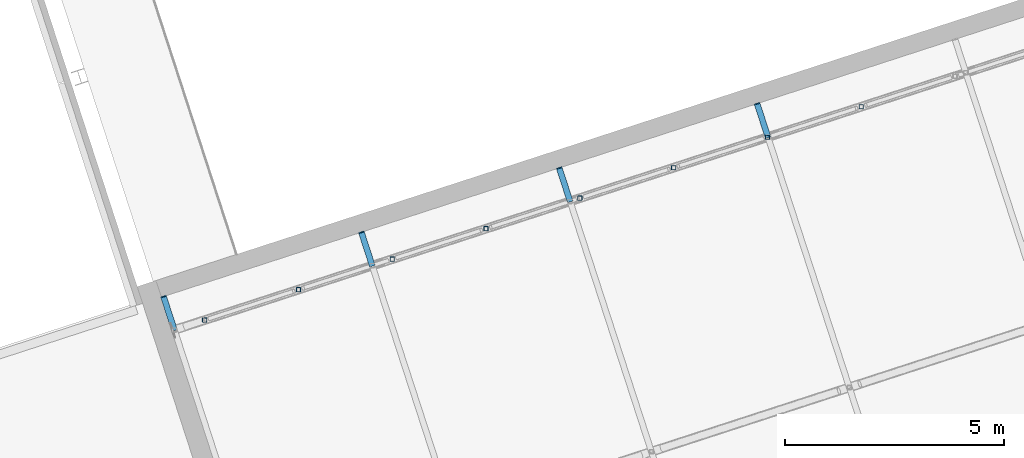
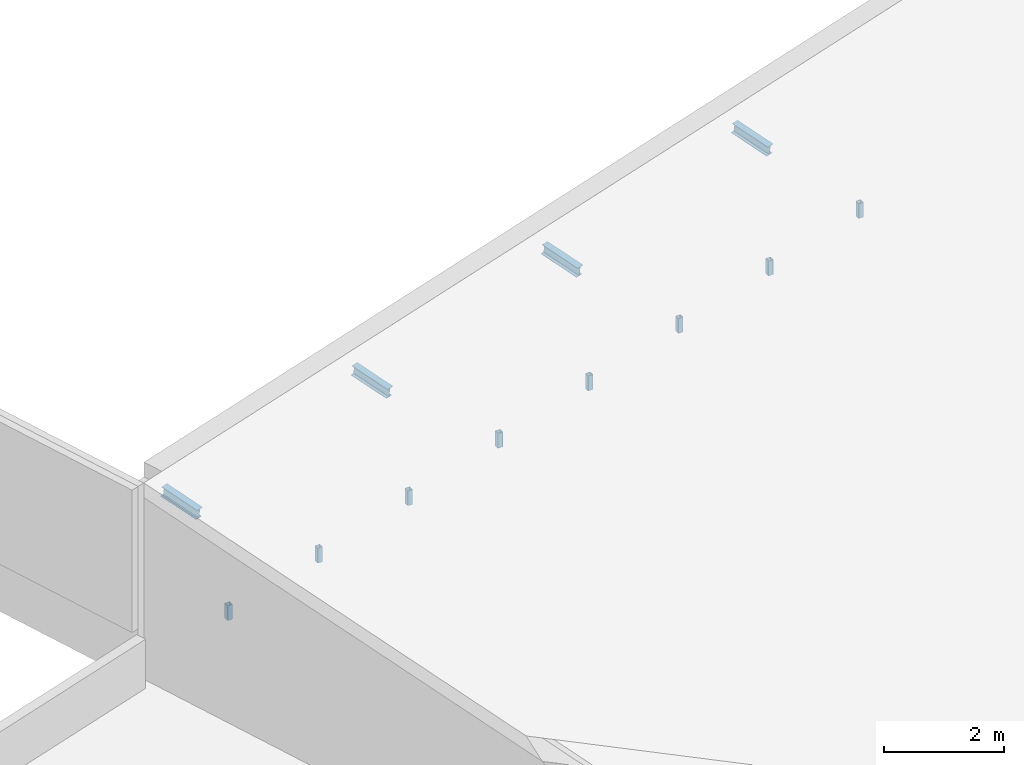
# One storey, part 41 of 55: 12 members.
"""IFC4 building model written with IfcOpenShell, lengths in metres."""

from ifc_helpers import new_model, si_unit, direction, frame, origin, origin_2d, place, context, subcontext, project, spatial, hollow_rectangle, i_section, extrude, material, material_profile, profile_set, type_object, element, save


model = new_model("IFC4")

# Units and contexts
model_context = context("Model", 3, precision=1e-05, world=origin(), true_north=direction((0.0, 1.0)))
body_context = subcontext(model_context, "Body", "Model", "MODEL_VIEW")
ifc_project = project(units=[si_unit("LENGTHUNIT", "METRE"), si_unit("AREAUNIT", "SQUARE_METRE"), si_unit("VOLUMEUNIT", "CUBIC_METRE"), si_unit("PLANEANGLEUNIT", "RADIAN"), si_unit("MASSUNIT", "GRAM", prefix="KILO")], contexts=[model_context])

# Site, building, storey
site_placement = place(None, origin())
site = spatial("IfcSite", under=ifc_project, at=site_placement, CompositionType="ELEMENT")
building_placement = place(site_placement, origin())
building = spatial("IfcBuilding", under=site, at=building_placement, Name="Tuart Plaza Theatre", CompositionType="ELEMENT")
storey_placement = place(building_placement, frame((0.0, 0.0, 21.5)))
storey = spatial("IfcBuildingStorey", under=building, at=storey_placement, Name="L05", CompositionType="ELEMENT", Elevation=21.5)

# Members
ifc_material_1 = material(Name="Steel Grade C350L0", Category="steel")
ifc_material_profile_1 = material_profile(ifc_material_1, hollow_rectangle(XDim=0.10009765625, YDim=0.10009765625, WallThickness=0.006103515625, InnerFilletRadius=0.006103515625, OuterFilletRadius=0.011962890625, at=origin_2d()), Name="100x100x6 SHS")
ifc_profile_set_1 = profile_set([ifc_material_profile_1], Name="Steel Grade C350L0")
member_type_1 = type_object("IfcMemberType", Name="MEMBER Post 100x100x6 SHS", PredefinedType="POST", material=ifc_profile_set_1)
for number, where, z_axis, x_axis, name in (
    (1, (42.607666015625, 67.987548828125, 0.975830078125), (0.0, 0.0, 1.0), (1.0, 0.0, 0.0), "PO200"),
    (2, (44.74560546875, 68.68212890625, 0.975830078125), (0.0, 0.0, 1.0), (1.0, 0.0, 0.0), "PO201"),
    (3, (46.88330078125, 69.376953125, 0.975830078125), (0.0, 0.0, 1.0), (1.0, 0.0, 0.0), "PO202"),
    (4, (49.021240234375, 70.071533203125, 0.975830078125), (0.0, 0.0, 1.0), (1.0, 0.0, 0.0), "PO203"),
    (5, (51.1591796875, 70.76611328125, 0.975830078125), (0.0, 0.0, 1.0), (1.0, 0.0, 0.0), "PO204"),
    (6, (53.297119140625, 71.460693359375, 0.975830078125), (0.0, 0.0, 1.0), (1.0, 0.0, 0.0), "PO205"),
    (7, (55.43505859375, 72.155517578125, 0.975830078125), (0.0, 0.0, 1.0), (1.0, 0.0, 0.0), "PO206"),
    (8, (57.57275390625, 72.85009765625, 0.975830078125), (0.0, 0.0, 1.0), (1.0, 0.0, 0.0), "PO207"),
):
    element("IfcMember", number, at=place(storey_placement, frame(where, z_axis=z_axis, x_axis=x_axis)), inside=storey, type_object=member_type_1, Name=name, PredefinedType="POST", context=body_context, shape_type="SweptSolid", body=[
        extrude(hollow_rectangle(XDim=0.10009765625, YDim=0.10009765625, WallThickness=0.006103515625, InnerFilletRadius=0.006103515625, OuterFilletRadius=0.011962890625, at=origin_2d()), origin(), (0.0, 0.0, 1.0), 0.300048828125),
    ])
ifc_material_2 = material(Name="Steel Grade 300", Category="steel")
ifc_material_profile_2 = material_profile(ifc_material_2, i_section(OverallWidth=0.133056640625, OverallDepth=0.202880859375, WebThickness=0.005859375, FlangeThickness=0.0078125, FilletRadius=0.0087890625, at=origin_2d()), Name="200UB25.4")
ifc_profile_set_2 = profile_set([ifc_material_profile_2], Name="Steel Grade 300")
member_type_2 = type_object("IfcMemberType", Name="MEMBER Purlin 200UB25.4", PredefinedType="PURLIN", material=ifc_profile_set_2)
member_1_placement = place(storey_placement, frame((41.91796875, 67.763427734375, 3.491455078125), z_axis=(-0.30614251249, 0.942931038963, 0.130987853664), x_axis=(-0.951125965834, -0.308803168888, 0.0)))
element("IfcMember", 9, at=member_1_placement, inside=storey, type_object=member_type_2, Name="PU6", PredefinedType="PURLIN", context=body_context, shape_type="SweptSolid", body=[
    extrude(i_section(OverallWidth=0.133056640625, OverallDepth=0.202880859375, WebThickness=0.005859375, FlangeThickness=0.0078125, FilletRadius=0.0087890625, at=origin_2d()), origin(), (0.0, 0.0, 1.0), 0.80712890625),
])
for number, where, z_axis, x_axis, name in (
    (10, (46.427734375, 69.228759765625, 3.491455078125), (-0.306504046324, 0.94281007734, 0.131013081992), (-0.951007150825, -0.309168884398, 0.0), "PU12"),
    (11, (50.937255859375, 70.694091796875, 3.491455078125), (-0.306504046324, 0.94281007734, 0.131013081992), (-0.951007150825, -0.309168884398, 0.0), "PU18"),
):
    element("IfcMember", number, at=place(storey_placement, frame(where, z_axis=z_axis, x_axis=x_axis)), inside=storey, type_object=member_type_2, Name=name, PredefinedType="PURLIN", context=body_context, shape_type="SweptSolid", body=[
        extrude(i_section(OverallWidth=0.133056640625, OverallDepth=0.202880859375, WebThickness=0.005859375, FlangeThickness=0.0078125, FilletRadius=0.0087890625, at=origin_2d()), origin(), (0.0, 0.0, 1.0), 0.806884765625),
    ])
member_2_placement = place(storey_placement, frame((55.44677734375, 72.1591796875, 3.491455078125), z_axis=(-0.30614251249, 0.942931038963, 0.130987853664), x_axis=(-0.951125965834, -0.308803168888, 0.0)))
element("IfcMember", 12, at=member_2_placement, inside=storey, type_object=member_type_2, Name="PU24", PredefinedType="PURLIN", context=body_context, shape_type="SweptSolid", body=[
    extrude(i_section(OverallWidth=0.133056640625, OverallDepth=0.202880859375, WebThickness=0.005859375, FlangeThickness=0.0078125, FilletRadius=0.0087890625, at=origin_2d()), origin(), (0.0, 0.0, 1.0), 0.80712890625),
])

save(model, "model.ifc")
